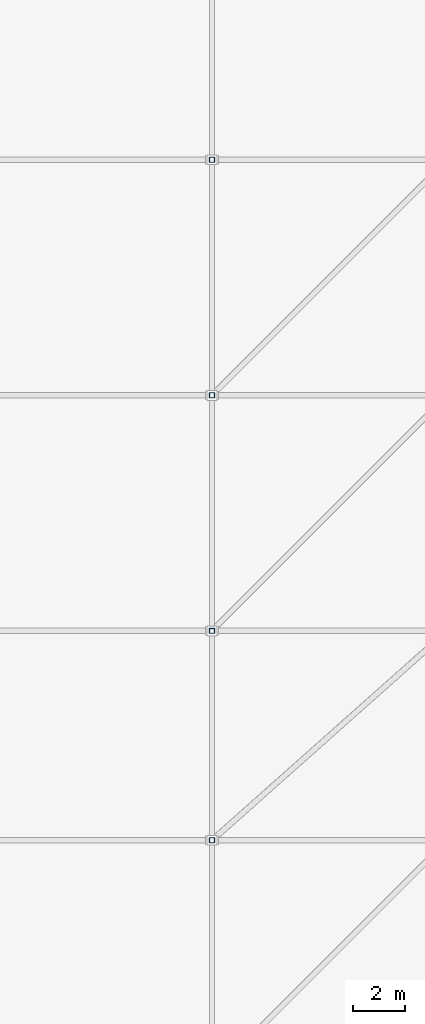
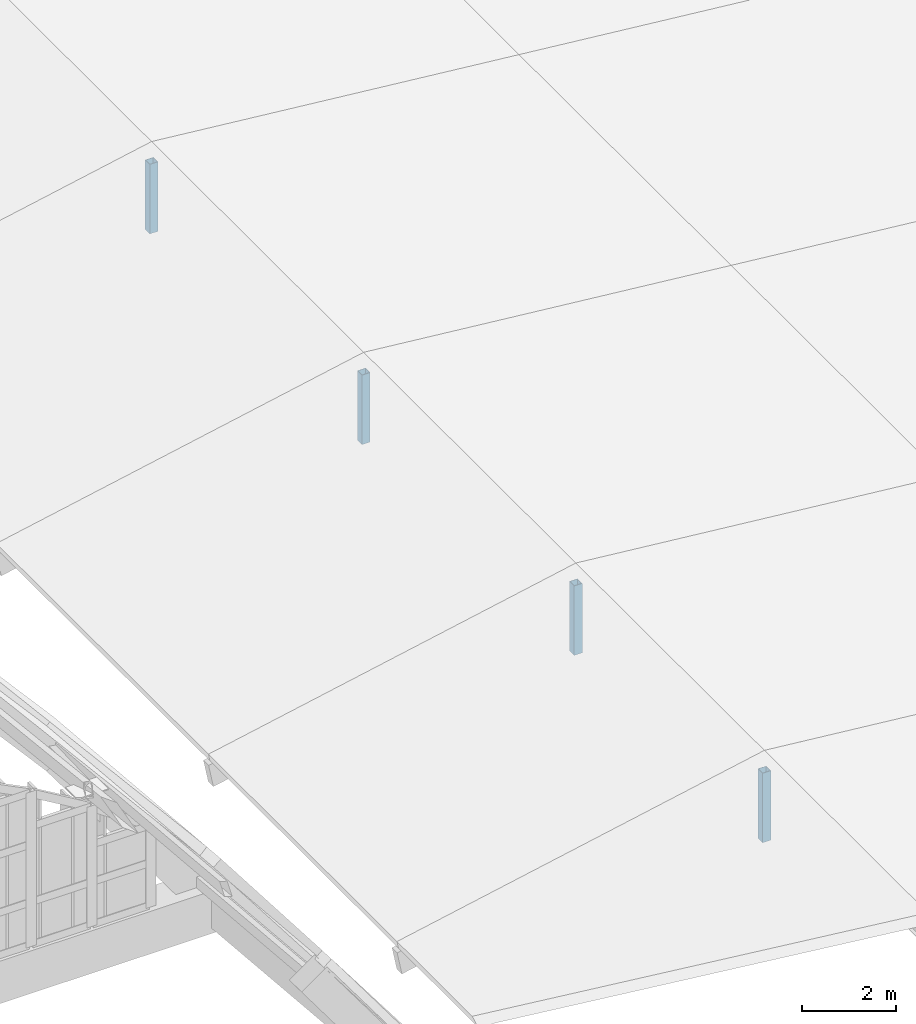
# One storey, part 11 of 93: 4 columns.
"""IFC4 building model written with IfcOpenShell, lengths in metres."""

from ifc_helpers import new_model, si_unit, direction, frame, origin, origin_2d, place, context, subcontext, project, spatial, hollow_rectangle, extrude, material, material_profile, profile_set, type_object, element, save


model = new_model("IFC4")

# Units and contexts
model_context = context("Model", 3, precision=1e-05, world=origin(), true_north=direction((0.0, 1.0)))
body_context = subcontext(model_context, "Body", "Model", "MODEL_VIEW")
ifc_project = project(units=[si_unit("LENGTHUNIT", "METRE"), si_unit("AREAUNIT", "SQUARE_METRE"), si_unit("VOLUMEUNIT", "CUBIC_METRE"), si_unit("PLANEANGLEUNIT", "RADIAN"), si_unit("MASSUNIT", "GRAM", prefix="KILO")], contexts=[model_context])

# Site, building, storey
site_placement = place(None, origin())
site = spatial("IfcSite", under=ifc_project, at=site_placement, CompositionType="ELEMENT")
building_placement = place(site_placement, origin())
building = spatial("IfcBuilding", under=site, at=building_placement, Name="Vourika Railside Aquatics Centre", CompositionType="ELEMENT")
storey_placement = place(building_placement, frame((0.0, 0.0, 21.89990234375)))
storey = spatial("IfcBuildingStorey", under=building, at=storey_placement, Name="Roof", CompositionType="ELEMENT", Elevation=21.89990234375)

# Columns
ifc_material = material(Name="Steel S355J2", Category="steel")
ifc_material_profile = material_profile(ifc_material, hollow_rectangle(XDim=0.199951171875, YDim=0.199951171875, WallThickness=0.010009765625, at=origin_2d()), Name="SHS 200x200x10")
ifc_profile_set = profile_set([ifc_material_profile], Name="Steel S355J2")
column_type = type_object("IfcColumnType", Name="COL-STL-SHS200", PredefinedType="COLUMN", material=ifc_profile_set)
for number, where, z_axis, x_axis, name in (
    (1, (150.0, 58.0, -8.39990234375), (0.0, 0.0, 1.0), (1.0, 0.0, 0.0), "Foyer Canopy Ridge Post (150,58)"),
    (2, (150.0, 66.0, -8.39990234375), (0.0, 0.0, 1.0), (1.0, 0.0, 0.0), "Foyer Canopy Ridge Post (150,66)"),
    (3, (150.0, 75.0, -8.39990234375), (0.0, 0.0, 1.0), (1.0, 0.0, 0.0), "Foyer Canopy Ridge Post (150,75)"),
    (4, (150.0, 84.0, -8.39990234375), (0.0, 0.0, 1.0), (1.0, 0.0, 0.0), "Foyer Canopy Ridge Post (150,84)"),
):
    element("IfcColumn", number, at=place(storey_placement, frame(where, z_axis=z_axis, x_axis=x_axis)), inside=storey, type_object=column_type, Name=name, PredefinedType="COLUMN", context=body_context, shape_type="SweptSolid", body=[
        extrude(hollow_rectangle(XDim=0.199951171875, YDim=0.199951171875, WallThickness=0.010009765625, at=origin_2d()), origin(), (0.0, 0.0, 1.0), 1.800048828125),
    ])

save(model, "model.ifc")
